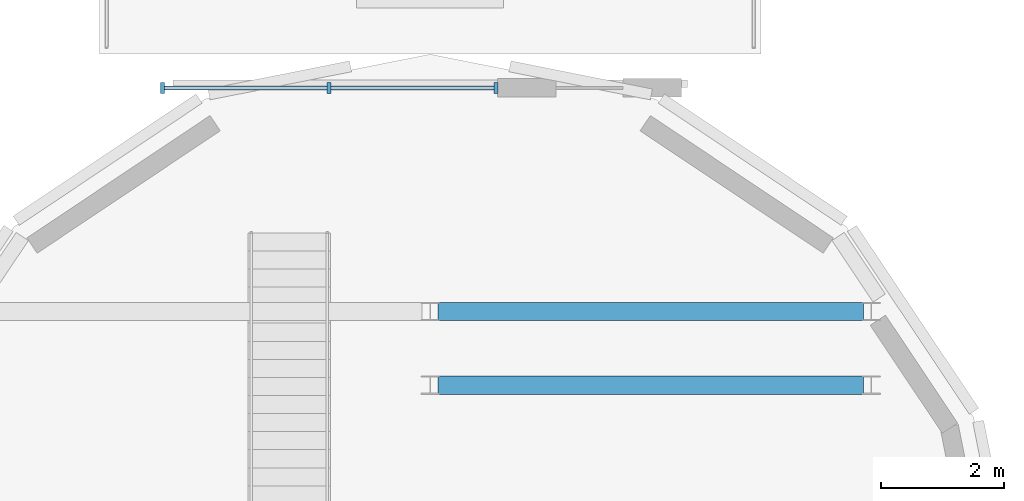
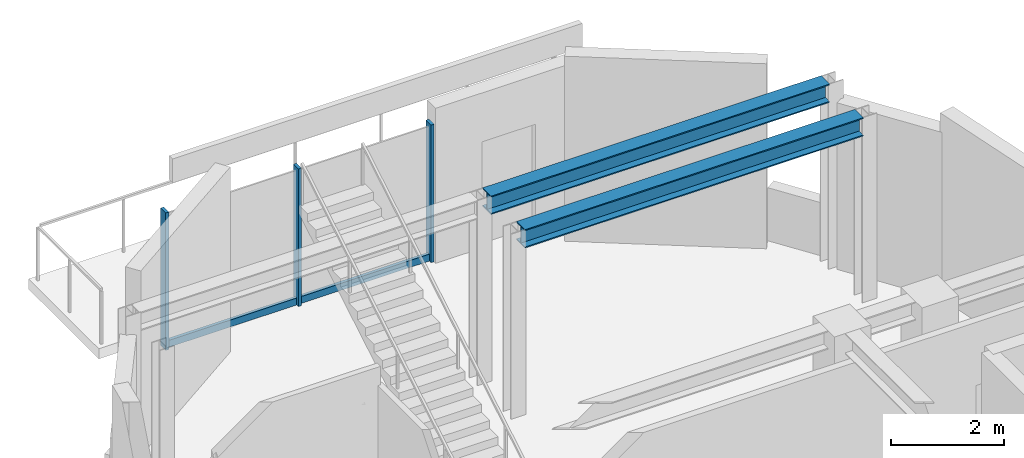
# One storey, part 6 of 14: 5 members, 2 beams, 1 element without a shape of its own.
"""IFC4 building model written with IfcOpenShell, lengths in metres."""

from ifc_helpers import new_model, si_unit, direction, frame, origin, origin_2d, place, context, subcontext, project, spatial, rectangle, i_section, extrude, source, transform, mapped, material, material_profile, profile_set, type_object, element, aggregate, save


model = new_model("IFC4")

# Units and contexts
model_context = context("Model", 3, precision=1e-05, world=origin(), true_north=direction((0.0, 1.0)))
body_context = subcontext(model_context, "Body", "Model", "MODEL_VIEW")
ifc_project = project(units=[si_unit("LENGTHUNIT", "METRE"), si_unit("AREAUNIT", "SQUARE_METRE"), si_unit("VOLUMEUNIT", "CUBIC_METRE"), si_unit("PLANEANGLEUNIT", "RADIAN"), si_unit("MASSUNIT", "GRAM", prefix="KILO")], contexts=[model_context])

# Site, building, storey
site_placement = place(None, origin())
site = spatial("IfcSite", under=ifc_project, at=site_placement, CompositionType="ELEMENT")
building_placement = place(site_placement, origin())
building = spatial("IfcBuilding", under=site, at=building_placement, Name="Keilestroom Media Tower", CompositionType="ELEMENT")
storey_placement = place(building_placement, frame((0.0, 0.0, 219.39990234375)))
storey = spatial("IfcBuildingStorey", under=building, at=storey_placement, Name="L60", CompositionType="ELEMENT", Elevation=219.39990234375)

# Beams
ifc_material_1 = material(Name="Steel S355", Category="steel")
ifc_material_profile_1 = material_profile(ifc_material_1, i_section(OverallWidth=0.300048828125, OverallDepth=0.39990234375, WebThickness=0.011474609375, FlangeThickness=0.02392578125, at=origin_2d()), Name="HEB 400")
ifc_profile_set_1 = profile_set([ifc_material_profile_1], Name="Steel S355")
beam_type = type_object("IfcBeamType", Name="Primary-Structural-Girder-HEB-400", PredefinedType="BEAM", material=ifc_profile_set_1)
shared_shape_1 = source(origin(), body_context, "Body", "SweptSolid", [
    extrude(i_section(OverallWidth=0.300048828125, OverallDepth=0.39990234375, WebThickness=0.011474609375, FlangeThickness=0.02392578125, at=origin_2d()), origin(), (0.0, 0.0, 1.0), 6.940185546875),
])
for number, where, z_axis, x_axis, name in (
    (1, (0.1298828125, 14.39990234375, 3.81005859375), (1.0, 0.0, 0.0), (0.0, 1.0, 0.0), "L60 Beam BG-8 BM-L60-EW-022"),
    (2, (0.1298828125, 15.60009765625, 3.81005859375), (1.0, 0.0, 0.0), (0.0, 1.0, 0.0), "L60 Beam BG-8 BM-L60-EW-024"),
):
    element("IfcBeam", number, at=place(storey_placement, frame(where, z_axis=z_axis, x_axis=x_axis)), inside=storey, type_object=beam_type, Name=name, PredefinedType="BEAM", context=body_context, shape_type="MappedRepresentation", body=[
        mapped(shared_shape_1, transform((0.0, 0.0, 0.0), x_axis=(1.0, 0.0, 0.0), y_axis=(0.0, 1.0, 0.0), z_axis=(0.0, 0.0, 1.0), scale=1.0)),
    ])

# Curtain wall, members
ifc_material_2 = material(Name="Anodised Aluminium Alloy", Category="aluminium")
curtain_wall_type = type_object("IfcCurtainWallType", Name="Unitised-Curtain-Wall-CW-6", PredefinedType="NOTDEFINED", material=ifc_material_2)
curtain_wall_placement = place(storey_placement, origin())
curtain_wall = element("IfcCurtainWall", 3, at=curtain_wall_placement, inside=storey, type_object=curtain_wall_type, Name="L60 Curtain Wall CW-6 CW-L60-LN-1", PredefinedType="NOTDEFINED")
ifc_material_profile_2 = material_profile(ifc_material_2, rectangle(XDim=0.06494140625, YDim=0.179931640625, at=origin_2d()), Name="ALU MULLION 65x180")
ifc_profile_set_2 = profile_set([ifc_material_profile_2], Name="Anodised Aluminium Alloy")
member_type_1 = type_object("IfcMemberType", Name="Curtain-Wall-Mullion-CW-6", PredefinedType="MULLION", material=ifc_profile_set_2)
shared_shape_2 = source(origin(), body_context, "Body", "SweptSolid", [
    extrude(rectangle(XDim=0.06494140625, YDim=0.179931640625, at=origin_2d()), origin(), (0.0, 0.0, 1.0), 2.97998046875),
])
member_1_placement = place(storey_placement, frame((-4.367431640625, 19.25, 0.0), z_axis=(0.0, 0.0, 1.0), x_axis=(1.0, 0.0, 0.0)))
member_1 = element("IfcMember", 4, at=member_1_placement, type_object=member_type_1, Name="CW-6 Mullion 00", PredefinedType="MULLION", context=body_context, shape_type="MappedRepresentation", body=[
    mapped(shared_shape_2, transform((0.0, 0.0, 0.0), x_axis=(1.0, 0.0, 0.0), y_axis=(0.0, 1.0, 0.0), z_axis=(0.0, 0.0, 1.0), scale=1.0)),
])
member_2_placement = place(storey_placement, frame((-1.6474609375, 19.25, 0.0), z_axis=(0.0, 0.0, 1.0), x_axis=(1.0, 0.0, 0.0)))
member_2 = element("IfcMember", 5, at=member_2_placement, type_object=member_type_1, Name="CW-6 Mullion 01", PredefinedType="MULLION", context=body_context, shape_type="MappedRepresentation", body=[
    mapped(shared_shape_2, transform((0.0, 0.0, 0.0), x_axis=(1.0, 0.0, 0.0), y_axis=(0.0, 1.0, 0.0), z_axis=(0.0, 0.0, 1.0), scale=1.0)),
])
member_3_placement = place(storey_placement, frame((1.072509765625, 19.25, 0.0), z_axis=(0.0, 0.0, 1.0), x_axis=(1.0, 0.0, 0.0)))
member_3 = element("IfcMember", 6, at=member_3_placement, type_object=member_type_1, Name="CW-6 Mullion 02", PredefinedType="MULLION", context=body_context, shape_type="MappedRepresentation", body=[
    mapped(shared_shape_2, transform((0.0, 0.0, 0.0), x_axis=(1.0, 0.0, 0.0), y_axis=(0.0, 1.0, 0.0), z_axis=(0.0, 0.0, 1.0), scale=1.0)),
])
ifc_material_profile_3 = material_profile(ifc_material_2, rectangle(XDim=0.06494140625, YDim=0.14990234375, at=origin_2d()), Name="ALU TRANSOM 65x150")
ifc_profile_set_3 = profile_set([ifc_material_profile_3], Name="Anodised Aluminium Alloy")
member_type_2 = type_object("IfcMemberType", Name="Curtain-Wall-Transom-CW-6", PredefinedType="USERDEFINED", material=ifc_profile_set_3)
shared_shape_3 = source(origin(), body_context, "Body", "SweptSolid", [
    extrude(rectangle(XDim=0.06494140625, YDim=0.14990234375, at=origin_2d()), origin(), (0.0, 0.0, 1.0), 2.658935546875),
])
member_4_placement = place(storey_placement, frame((-4.3369140625, 19.25, 0.0751953125), z_axis=(1.0, 0.0, 0.0), x_axis=(0.0, 1.0, 0.0)))
member_4 = element("IfcMember", 7, at=member_4_placement, type_object=member_type_2, Name="CW-6 Transom 00.1", ObjectType="TRANSOM", PredefinedType="USERDEFINED", context=body_context, shape_type="MappedRepresentation", body=[
    mapped(shared_shape_3, transform((0.0, 0.0, 0.0), x_axis=(1.0, 0.0, 0.0), y_axis=(0.0, 1.0, 0.0), z_axis=(0.0, 0.0, 1.0), scale=1.0)),
])
member_5_placement = place(storey_placement, frame((-1.616943359375, 19.25, 0.0751953125), z_axis=(1.0, 0.0, 0.0), x_axis=(0.0, 1.0, 0.0)))
member_5 = element("IfcMember", 8, at=member_5_placement, type_object=member_type_2, Name="CW-6 Transom 01.1", ObjectType="TRANSOM", PredefinedType="USERDEFINED", context=body_context, shape_type="MappedRepresentation", body=[
    mapped(shared_shape_3, transform((0.0, 0.0, 0.0), x_axis=(1.0, 0.0, 0.0), y_axis=(0.0, 1.0, 0.0), z_axis=(0.0, 0.0, 1.0), scale=1.0)),
])
aggregate(curtain_wall, [member_1, member_2, member_3, member_4, member_5])

save(model, "model.ifc")
